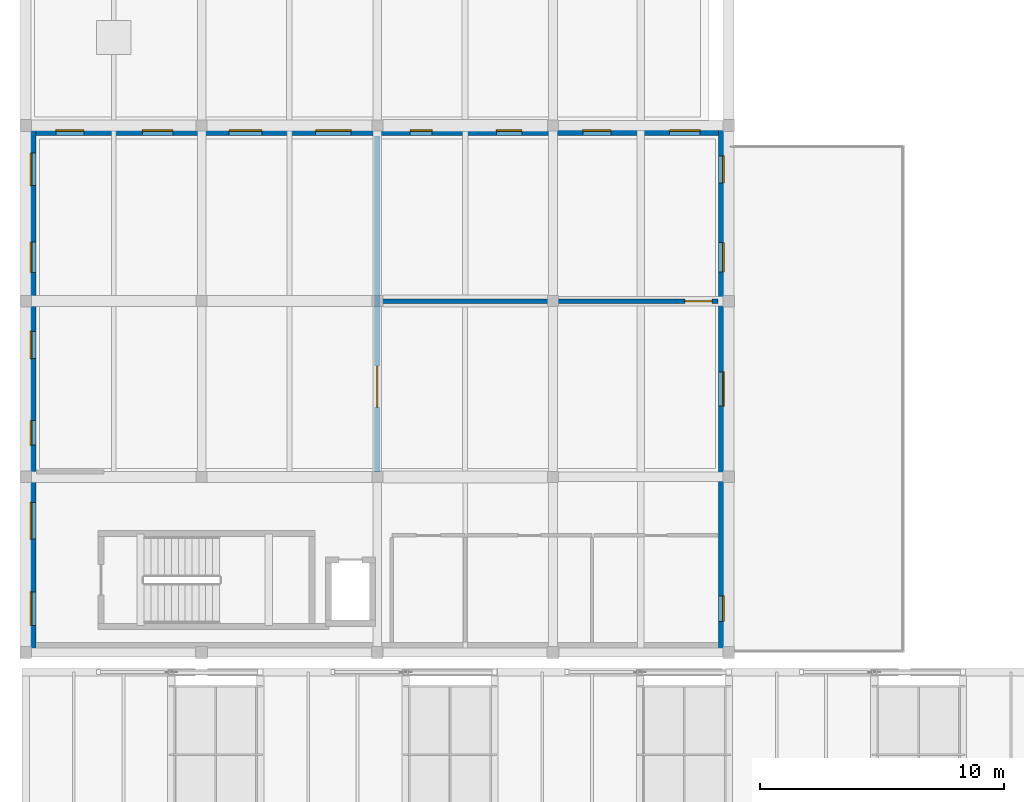
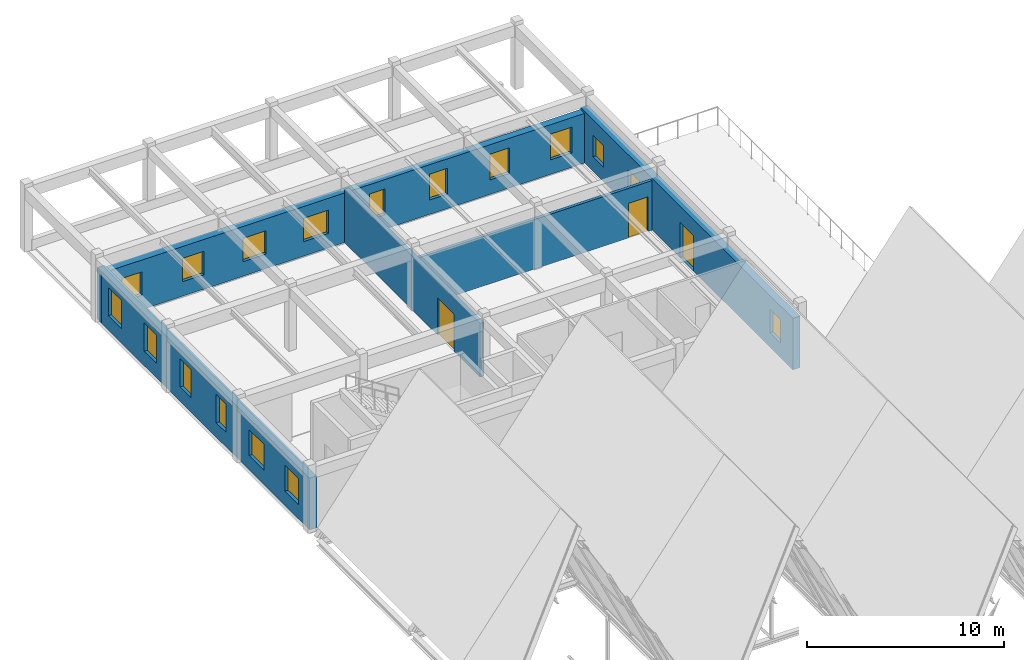
# One storey, part 83 of 99: 17 windows, 5 walls, 3 doors, 20 openings.
"""IFC4 building model written with IfcOpenShell, lengths in metres."""

from ifc_helpers import new_model, si_unit, direction, frame, frame_2d, origin, place, context, subcontext, project, spatial, rectangle, extrude, material, layer, layer_set, type_object, element, fill, save


model = new_model("IFC4")

# Units and contexts
model_context = context("Model", 3, precision=1e-05, world=origin(), true_north=direction((0.0, 1.0)))
body_context = subcontext(model_context, "Body", "Model", "MODEL_VIEW")
ifc_project = project(units=[si_unit("LENGTHUNIT", "METRE"), si_unit("AREAUNIT", "SQUARE_METRE"), si_unit("VOLUMEUNIT", "CUBIC_METRE"), si_unit("PLANEANGLEUNIT", "RADIAN"), si_unit("MASSUNIT", "GRAM", prefix="KILO")], contexts=[model_context])

# Site, building, storey
site_placement = place(None, origin())
site = spatial("IfcSite", under=ifc_project, at=site_placement, CompositionType="ELEMENT")
building_placement = place(site_placement, origin())
building = spatial("IfcBuilding", under=site, at=building_placement, Name="Bramveld Media Centre", CompositionType="ELEMENT")
storey_placement = place(building_placement, frame((0.0, 0.0, 13.800048828125)))
storey = spatial("IfcBuildingStorey", under=building, at=storey_placement, Name="L03", CompositionType="ELEMENT", Elevation=13.800048828125)

# Wall, openings, door, windows
ifc_material_1 = material(Name="Flemish red-brown clay facing brick cavity wall with concrete C35/45 inner leaf", Category="masonry")
ifc_layer_1 = layer(ifc_material_1, 0.419921875)
ifc_layer_set_1 = layer_set([ifc_layer_1], Name="Flemish red-brown clay facing brick cavity wall with concrete C35/45 inner leaf")
wall_type_1 = type_object("IfcWallType", Name="EW-BRK-420", PredefinedType="SOLIDWALL", material=ifc_layer_set_1)
wall_1_placement = place(storey_placement, frame((28.590087890625, 60.800048828125, 0.0), z_axis=(0.0, 0.0, 1.0), x_axis=(0.0, -1.0, 0.0)))
wall_1 = element("IfcWall", 1, at=wall_1_placement, inside=storey, type_object=wall_type_1, Name="V3 L03 E facing brick exterior wall", PredefinedType="SOLIDWALL", context=body_context, shape_type="SweptSolid", body=[
    extrude(rectangle(XDim=21.60009765625, YDim=0.419921875, at=frame_2d((10.800048828125, 0.0))), origin(), (0.0, 0.0, 1.0), 3.204833984375),
])
opening_1_placement = place(wall_1_placement, frame((10.10009765625, 0.0, 0.0)))
opening_1 = element("IfcOpeningElement", 2, at=opening_1_placement, cuts=wall_1, Name="Opening TD-05", PredefinedType="OPENING", context=body_context, shape_type="SweptSolid", body=[
    extrude(rectangle(XDim=1.39990234375, YDim=2.199951171875, at=frame_2d((0.699951171875, 1.10009765625))), frame((0.0, 0.221923828125, 0.0), z_axis=(0.0, -1.0, 0.0), x_axis=(1.0, 0.0, 0.0)), (0.0, 0.0, 1.0), 0.44384765625),
])
opening_2_placement = place(wall_1_placement, frame((1.25, 0.0, 0.89990234375)))
opening_2 = element("IfcOpeningElement", 3, at=opening_2_placement, cuts=wall_1, Name="Opening W-03", PredefinedType="OPENING", context=body_context, shape_type="SweptSolid", body=[
    extrude(rectangle(XDim=1.10009765625, YDim=1.35009765625, at=frame_2d((0.550048828125, 0.675048828125))), frame((0.0, 0.221923828125, 0.0), z_axis=(0.0, -1.0, 0.0), x_axis=(1.0, 0.0, 0.0)), (0.0, 0.0, 1.0), 0.44384765625),
])
opening_3_placement = place(wall_1_placement, frame((4.800048828125, 0.0, 0.89990234375)))
opening_3 = element("IfcOpeningElement", 4, at=opening_3_placement, cuts=wall_1, Name="Opening W-04", PredefinedType="OPENING", context=body_context, shape_type="SweptSolid", body=[
    extrude(rectangle(XDim=1.199951171875, YDim=1.35009765625, at=frame_2d((0.60009765625, 0.675048828125))), frame((0.0, 0.221923828125, 0.0), z_axis=(0.0, -1.0, 0.0), x_axis=(1.0, 0.0, 0.0)), (0.0, 0.0, 1.0), 0.44384765625),
])
opening_4_placement = place(wall_1_placement, frame((19.27490234375, 0.0, 0.89990234375)))
opening_4 = element("IfcOpeningElement", 5, at=opening_4_placement, cuts=wall_1, Name="Opening W-08", PredefinedType="OPENING", context=body_context, shape_type="SweptSolid", body=[
    extrude(rectangle(XDim=1.050048828125, YDim=1.449951171875, at=frame_2d((0.52490234375, 0.72509765625))), frame((0.0, 0.221923828125, 0.0), z_axis=(0.0, -1.0, 0.0), x_axis=(1.0, 0.0, 0.0)), (0.0, 0.0, 1.0), 0.44384765625),
])
ifc_material_2 = material(Name="Insulated powder-coated bronze aluminium & laminated safety glass door", Category="aluminium")
door_type_1 = type_object("IfcDoorType", Name="DR-TER-1400", OperationType="NOTDEFINED", PredefinedType="DOOR", material=ifc_material_2)
door_1_placement = place(opening_1_placement, origin())
door_1 = element("IfcDoor", 6, at=door_1_placement, inside=storey, type_object=door_type_1, Name="Exterior door TD-05", OperationType="SINGLE_SWING_LEFT", OverallHeight=2.199951171875, OverallWidth=1.39990234375, PredefinedType="DOOR", context=body_context, shape_type="SweptSolid", body=[
    extrude(rectangle(XDim=1.39990234375, YDim=2.199951171875, at=frame_2d((0.699951171875, 1.10009765625))), frame((0.0, 0.02490234375, 0.0), z_axis=(0.0, -1.0, 0.0), x_axis=(1.0, 0.0, 0.0)), (0.0, 0.0, 1.0), 0.050048828125),
])
fill(opening_1, door_1)
ifc_material_3 = material(Name="Thermally broken anodized bronze aluminium frame with triple acoustic glazing", Category="aluminium")
window_type_1 = type_object("IfcWindowType", Name="WIN-FAC-03", PartitioningType="SINGLE_PANEL", PredefinedType="WINDOW", material=ifc_material_3)
window_1_placement = place(opening_2_placement, origin())
window_1 = element("IfcWindow", 7, at=window_1_placement, inside=storey, type_object=window_type_1, Name="V3 L03 E acoustic facade window", OverallHeight=1.35009765625, OverallWidth=1.10009765625, PartitioningType="SINGLE_PANEL", PredefinedType="WINDOW", context=body_context, shape_type="SweptSolid", body=[
    extrude(rectangle(XDim=1.10009765625, YDim=1.35009765625, at=frame_2d((0.550048828125, 0.675048828125))), frame((0.0, 0.030029296875, 0.0), z_axis=(0.0, -1.0, 0.0), x_axis=(1.0, 0.0, 0.0)), (0.0, 0.0, 1.0), 0.06005859375),
])
fill(opening_2, window_1)
ifc_material_4 = material(Name="Thermally broken anodized bronze aluminium frame with triple acoustic glazing", Category="aluminium")
window_type_2 = type_object("IfcWindowType", Name="WIN-FAC-04", PartitioningType="SINGLE_PANEL", PredefinedType="WINDOW", material=ifc_material_4)
window_2_placement = place(opening_3_placement, origin())
window_2 = element("IfcWindow", 8, at=window_2_placement, inside=storey, type_object=window_type_2, Name="V3 L03 E acoustic facade window", OverallHeight=1.35009765625, OverallWidth=1.199951171875, PartitioningType="SINGLE_PANEL", PredefinedType="WINDOW", context=body_context, shape_type="SweptSolid", body=[
    extrude(rectangle(XDim=1.199951171875, YDim=1.35009765625, at=frame_2d((0.60009765625, 0.675048828125))), frame((0.0, 0.030029296875, 0.0), z_axis=(0.0, -1.0, 0.0), x_axis=(1.0, 0.0, 0.0)), (0.0, 0.0, 1.0), 0.06005859375),
])
fill(opening_3, window_2)
ifc_material_5 = material(Name="Thermally broken anodized bronze aluminium frame with triple acoustic glazing", Category="aluminium")
window_type_3 = type_object("IfcWindowType", Name="WIN-FAC-08", PartitioningType="SINGLE_PANEL", PredefinedType="WINDOW", material=ifc_material_5)
window_3_placement = place(opening_4_placement, origin())
window_3 = element("IfcWindow", 9, at=window_3_placement, inside=storey, type_object=window_type_3, Name="V3 L03 E acoustic facade window", OverallHeight=1.449951171875, OverallWidth=1.050048828125, PartitioningType="SINGLE_PANEL", PredefinedType="WINDOW", context=body_context, shape_type="SweptSolid", body=[
    extrude(rectangle(XDim=1.050048828125, YDim=1.449951171875, at=frame_2d((0.52490234375, 0.72509765625))), frame((0.0, 0.030029296875, 0.0), z_axis=(0.0, -1.0, 0.0), x_axis=(1.0, 0.0, 0.0)), (0.0, 0.0, 1.0), 0.06005859375),
])
fill(opening_4, window_3)

# Wall, openings, windows
wall_2_placement = place(storey_placement, frame((0.0, 60.590087890625, 0.0), z_axis=(0.0, 0.0, 1.0), x_axis=(1.0, 0.0, 0.0)))
wall_2 = element("IfcWall", 10, at=wall_2_placement, inside=storey, type_object=wall_type_1, Name="V3 L03 N facing brick exterior wall", PredefinedType="SOLIDWALL", context=body_context, shape_type="SweptSolid", body=[
    extrude(rectangle(XDim=28.800048828125, YDim=0.419921875, at=frame_2d((14.39990234375, 0.0))), origin(), (0.0, 0.0, 1.0), 3.0849609375),
])
opening_5_placement = place(wall_2_placement, frame((1.22509765625, 0.0, 0.89990234375)))
opening_5 = element("IfcOpeningElement", 11, at=opening_5_placement, cuts=wall_2, Name="Opening W-09", PredefinedType="OPENING", context=body_context, shape_type="SweptSolid", body=[
    extrude(rectangle(XDim=1.14990234375, YDim=1.449951171875, at=frame_2d((0.574951171875, 0.72509765625))), frame((0.0, 0.221923828125, 0.0), z_axis=(0.0, -1.0, 0.0), x_axis=(1.0, 0.0, 0.0)), (0.0, 0.0, 1.0), 0.44384765625),
])
opening_6_placement = place(wall_2_placement, frame((4.77490234375, 0.0, 0.89990234375)))
opening_6 = element("IfcOpeningElement", 12, at=opening_6_placement, cuts=wall_2, Name="Opening W-10", PredefinedType="OPENING", context=body_context, shape_type="SweptSolid", body=[
    extrude(rectangle(XDim=1.25, YDim=1.449951171875, at=frame_2d((0.625, 0.72509765625))), frame((0.0, 0.221923828125, 0.0), z_axis=(0.0, -1.0, 0.0), x_axis=(1.0, 0.0, 0.0)), (0.0, 0.0, 1.0), 0.44384765625),
])
opening_7_placement = place(wall_2_placement, frame((8.324951171875, 0.0, 0.89990234375)))
opening_7 = element("IfcOpeningElement", 13, at=opening_7_placement, cuts=wall_2, Name="Opening W-11", PredefinedType="OPENING", context=body_context, shape_type="SweptSolid", body=[
    extrude(rectangle(XDim=1.35009765625, YDim=1.449951171875, at=frame_2d((0.675048828125, 0.72509765625))), frame((0.0, 0.221923828125, 0.0), z_axis=(0.0, -1.0, 0.0), x_axis=(1.0, 0.0, 0.0)), (0.0, 0.0, 1.0), 0.44384765625),
])
opening_8_placement = place(wall_2_placement, frame((11.875, 0.0, 0.89990234375)))
opening_8 = element("IfcOpeningElement", 14, at=opening_8_placement, cuts=wall_2, Name="Opening W-12", PredefinedType="OPENING", context=body_context, shape_type="SweptSolid", body=[
    extrude(rectangle(XDim=1.449951171875, YDim=1.449951171875, at=frame_2d((0.72509765625, 0.72509765625))), frame((0.0, 0.221923828125, 0.0), z_axis=(0.0, -1.0, 0.0), x_axis=(1.0, 0.0, 0.0)), (0.0, 0.0, 1.0), 0.44384765625),
])
opening_9_placement = place(wall_2_placement, frame((15.75, 0.0, 0.89990234375)))
opening_9 = element("IfcOpeningElement", 15, at=opening_9_placement, cuts=wall_2, Name="Opening W-13", PredefinedType="OPENING", context=body_context, shape_type="SweptSolid", body=[
    extrude(rectangle(XDim=0.89990234375, YDim=1.60009765625, at=frame_2d((0.449951171875, 0.800048828125))), frame((0.0, 0.221923828125, 0.0), z_axis=(0.0, -1.0, 0.0), x_axis=(1.0, 0.0, 0.0)), (0.0, 0.0, 1.0), 0.44384765625),
])
opening_10_placement = place(wall_2_placement, frame((19.27490234375, 0.0, 0.89990234375)))
opening_10 = element("IfcOpeningElement", 16, at=opening_10_placement, cuts=wall_2, Name="Opening W-14", PredefinedType="OPENING", context=body_context, shape_type="SweptSolid", body=[
    extrude(rectangle(XDim=1.050048828125, YDim=1.60009765625, at=frame_2d((0.52490234375, 0.800048828125))), frame((0.0, 0.221923828125, 0.0), z_axis=(0.0, -1.0, 0.0), x_axis=(1.0, 0.0, 0.0)), (0.0, 0.0, 1.0), 0.44384765625),
])
opening_11_placement = place(wall_2_placement, frame((22.824951171875, 0.0, 0.89990234375)))
opening_11 = element("IfcOpeningElement", 17, at=opening_11_placement, cuts=wall_2, Name="Opening W-15", PredefinedType="OPENING", context=body_context, shape_type="SweptSolid", body=[
    extrude(rectangle(XDim=1.14990234375, YDim=1.60009765625, at=frame_2d((0.574951171875, 0.800048828125))), frame((0.0, 0.221923828125, 0.0), z_axis=(0.0, -1.0, 0.0), x_axis=(1.0, 0.0, 0.0)), (0.0, 0.0, 1.0), 0.44384765625),
])
opening_12_placement = place(wall_2_placement, frame((26.375, 0.0, 0.89990234375)))
opening_12 = element("IfcOpeningElement", 18, at=opening_12_placement, cuts=wall_2, Name="Opening W-16", PredefinedType="OPENING", context=body_context, shape_type="SweptSolid", body=[
    extrude(rectangle(XDim=1.25, YDim=1.60009765625, at=frame_2d((0.625, 0.800048828125))), frame((0.0, 0.221923828125, 0.0), z_axis=(0.0, -1.0, 0.0), x_axis=(1.0, 0.0, 0.0)), (0.0, 0.0, 1.0), 0.44384765625),
])
ifc_material_6 = material(Name="Thermally broken anodized bronze aluminium frame with triple acoustic glazing", Category="aluminium")
window_type_4 = type_object("IfcWindowType", Name="WIN-FAC-09", PartitioningType="SINGLE_PANEL", PredefinedType="WINDOW", material=ifc_material_6)
window_4_placement = place(opening_5_placement, origin())
window_4 = element("IfcWindow", 19, at=window_4_placement, inside=storey, type_object=window_type_4, Name="V3 L03 N acoustic facade window", OverallHeight=1.449951171875, OverallWidth=1.14990234375, PartitioningType="SINGLE_PANEL", PredefinedType="WINDOW", context=body_context, shape_type="SweptSolid", body=[
    extrude(rectangle(XDim=1.14990234375, YDim=1.449951171875, at=frame_2d((0.574951171875, 0.72509765625))), frame((0.0, 0.030029296875, 0.0), z_axis=(0.0, -1.0, 0.0), x_axis=(1.0, 0.0, 0.0)), (0.0, 0.0, 1.0), 0.06005859375),
])
fill(opening_5, window_4)
ifc_material_7 = material(Name="Thermally broken anodized bronze aluminium frame with triple acoustic glazing", Category="aluminium")
window_type_5 = type_object("IfcWindowType", Name="WIN-FAC-10", PartitioningType="SINGLE_PANEL", PredefinedType="WINDOW", material=ifc_material_7)
window_5_placement = place(opening_6_placement, origin())
window_5 = element("IfcWindow", 20, at=window_5_placement, inside=storey, type_object=window_type_5, Name="V3 L03 N acoustic facade window", OverallHeight=1.449951171875, OverallWidth=1.25, PartitioningType="SINGLE_PANEL", PredefinedType="WINDOW", context=body_context, shape_type="SweptSolid", body=[
    extrude(rectangle(XDim=1.25, YDim=1.449951171875, at=frame_2d((0.625, 0.72509765625))), frame((0.0, 0.030029296875, 0.0), z_axis=(0.0, -1.0, 0.0), x_axis=(1.0, 0.0, 0.0)), (0.0, 0.0, 1.0), 0.06005859375),
])
fill(opening_6, window_5)
ifc_material_8 = material(Name="Thermally broken anodized bronze aluminium frame with triple acoustic glazing", Category="aluminium")
window_type_6 = type_object("IfcWindowType", Name="WIN-FAC-11", PartitioningType="SINGLE_PANEL", PredefinedType="WINDOW", material=ifc_material_8)
window_6_placement = place(opening_7_placement, origin())
window_6 = element("IfcWindow", 21, at=window_6_placement, inside=storey, type_object=window_type_6, Name="V3 L03 N acoustic facade window", OverallHeight=1.449951171875, OverallWidth=1.35009765625, PartitioningType="SINGLE_PANEL", PredefinedType="WINDOW", context=body_context, shape_type="SweptSolid", body=[
    extrude(rectangle(XDim=1.35009765625, YDim=1.449951171875, at=frame_2d((0.675048828125, 0.72509765625))), frame((0.0, 0.030029296875, 0.0), z_axis=(0.0, -1.0, 0.0), x_axis=(1.0, 0.0, 0.0)), (0.0, 0.0, 1.0), 0.06005859375),
])
fill(opening_7, window_6)
ifc_material_9 = material(Name="Thermally broken anodized bronze aluminium frame with triple acoustic glazing", Category="aluminium")
window_type_7 = type_object("IfcWindowType", Name="WIN-FAC-12", PartitioningType="SINGLE_PANEL", PredefinedType="WINDOW", material=ifc_material_9)
window_7_placement = place(opening_8_placement, origin())
window_7 = element("IfcWindow", 22, at=window_7_placement, inside=storey, type_object=window_type_7, Name="V3 L03 N acoustic facade window", OverallHeight=1.449951171875, OverallWidth=1.449951171875, PartitioningType="SINGLE_PANEL", PredefinedType="WINDOW", context=body_context, shape_type="SweptSolid", body=[
    extrude(rectangle(XDim=1.449951171875, YDim=1.449951171875, at=frame_2d((0.72509765625, 0.72509765625))), frame((0.0, 0.030029296875, 0.0), z_axis=(0.0, -1.0, 0.0), x_axis=(1.0, 0.0, 0.0)), (0.0, 0.0, 1.0), 0.06005859375),
])
fill(opening_8, window_7)
ifc_material_10 = material(Name="Thermally broken anodized bronze aluminium frame with triple acoustic glazing", Category="aluminium")
window_type_8 = type_object("IfcWindowType", Name="WIN-FAC-13", PartitioningType="SINGLE_PANEL", PredefinedType="WINDOW", material=ifc_material_10)
window_8_placement = place(opening_9_placement, origin())
window_8 = element("IfcWindow", 23, at=window_8_placement, inside=storey, type_object=window_type_8, Name="V3 L03 N acoustic facade window", OverallHeight=1.60009765625, OverallWidth=0.89990234375, PartitioningType="SINGLE_PANEL", PredefinedType="WINDOW", context=body_context, shape_type="SweptSolid", body=[
    extrude(rectangle(XDim=0.89990234375, YDim=1.60009765625, at=frame_2d((0.449951171875, 0.800048828125))), frame((0.0, 0.030029296875, 0.0), z_axis=(0.0, -1.0, 0.0), x_axis=(1.0, 0.0, 0.0)), (0.0, 0.0, 1.0), 0.06005859375),
])
fill(opening_9, window_8)
ifc_material_11 = material(Name="Thermally broken anodized bronze aluminium frame with triple acoustic glazing", Category="aluminium")
window_type_9 = type_object("IfcWindowType", Name="WIN-FAC-14", PartitioningType="SINGLE_PANEL", PredefinedType="WINDOW", material=ifc_material_11)
window_9_placement = place(opening_10_placement, origin())
window_9 = element("IfcWindow", 24, at=window_9_placement, inside=storey, type_object=window_type_9, Name="V3 L03 N acoustic facade window", OverallHeight=1.60009765625, OverallWidth=1.050048828125, PartitioningType="SINGLE_PANEL", PredefinedType="WINDOW", context=body_context, shape_type="SweptSolid", body=[
    extrude(rectangle(XDim=1.050048828125, YDim=1.60009765625, at=frame_2d((0.52490234375, 0.800048828125))), frame((0.0, 0.030029296875, 0.0), z_axis=(0.0, -1.0, 0.0), x_axis=(1.0, 0.0, 0.0)), (0.0, 0.0, 1.0), 0.06005859375),
])
fill(opening_10, window_9)
ifc_material_12 = material(Name="Thermally broken anodized bronze aluminium frame with triple acoustic glazing", Category="aluminium")
window_type_10 = type_object("IfcWindowType", Name="WIN-FAC-15", PartitioningType="SINGLE_PANEL", PredefinedType="WINDOW", material=ifc_material_12)
window_10_placement = place(opening_11_placement, origin())
window_10 = element("IfcWindow", 25, at=window_10_placement, inside=storey, type_object=window_type_10, Name="V3 L03 N acoustic facade window", OverallHeight=1.60009765625, OverallWidth=1.14990234375, PartitioningType="SINGLE_PANEL", PredefinedType="WINDOW", context=body_context, shape_type="SweptSolid", body=[
    extrude(rectangle(XDim=1.14990234375, YDim=1.60009765625, at=frame_2d((0.574951171875, 0.800048828125))), frame((0.0, 0.030029296875, 0.0), z_axis=(0.0, -1.0, 0.0), x_axis=(1.0, 0.0, 0.0)), (0.0, 0.0, 1.0), 0.06005859375),
])
fill(opening_11, window_10)
ifc_material_13 = material(Name="Thermally broken anodized bronze aluminium frame with triple acoustic glazing", Category="aluminium")
window_type_11 = type_object("IfcWindowType", Name="WIN-FAC-16", PartitioningType="SINGLE_PANEL", PredefinedType="WINDOW", material=ifc_material_13)
window_11_placement = place(opening_12_placement, origin())
window_11 = element("IfcWindow", 26, at=window_11_placement, inside=storey, type_object=window_type_11, Name="V3 L03 N acoustic facade window", OverallHeight=1.60009765625, OverallWidth=1.25, PartitioningType="SINGLE_PANEL", PredefinedType="WINDOW", context=body_context, shape_type="SweptSolid", body=[
    extrude(rectangle(XDim=1.25, YDim=1.60009765625, at=frame_2d((0.625, 0.800048828125))), frame((0.0, 0.030029296875, 0.0), z_axis=(0.0, -1.0, 0.0), x_axis=(1.0, 0.0, 0.0)), (0.0, 0.0, 1.0), 0.06005859375),
])
fill(opening_12, window_11)

wall_3_placement = place(storey_placement, frame((0.2099609375, 39.199951171875, 0.0), z_axis=(0.0, 0.0, 1.0), x_axis=(0.0, 1.0, 0.0)))
wall_3 = element("IfcWall", 27, at=wall_3_placement, inside=storey, type_object=wall_type_1, Name="V3 L03 W facing brick exterior wall", PredefinedType="SOLIDWALL", context=body_context, shape_type="SweptSolid", body=[
    extrude(rectangle(XDim=21.60009765625, YDim=0.419921875, at=frame_2d((10.800048828125, 0.0))), origin(), (0.0, 0.0, 1.0), 3.21484375),
])
opening_13_placement = place(wall_3_placement, frame((1.110107421875, 0.0, 0.89990234375)))
opening_13 = element("IfcOpeningElement", 28, at=opening_13_placement, cuts=wall_3, Name="Opening W-17", PredefinedType="OPENING", context=body_context, shape_type="SweptSolid", body=[
    extrude(rectangle(XDim=1.3798828125, YDim=1.60009765625, at=frame_2d((0.68994140625, 0.800048828125))), frame((0.0, 0.221923828125, 0.0), z_axis=(0.0, -1.0, 0.0), x_axis=(1.0, 0.0, 0.0)), (0.0, 0.0, 1.0), 0.44384765625),
])
opening_14_placement = place(wall_3_placement, frame((4.64990234375, 0.0, 0.89990234375)))
opening_14 = element("IfcOpeningElement", 29, at=opening_14_placement, cuts=wall_3, Name="Opening W-18", PredefinedType="OPENING", context=body_context, shape_type="SweptSolid", body=[
    extrude(rectangle(XDim=1.5, YDim=1.60009765625, at=frame_2d((0.75, 0.800048828125))), frame((0.0, 0.221923828125, 0.0), z_axis=(0.0, -1.0, 0.0), x_axis=(1.0, 0.0, 0.0)), (0.0, 0.0, 1.0), 0.44384765625),
])
opening_15_placement = place(wall_3_placement, frame((8.5, 0.0, 0.89990234375)))
opening_15 = element("IfcOpeningElement", 30, at=opening_15_placement, cuts=wall_3, Name="Opening W-19", PredefinedType="OPENING", context=body_context, shape_type="SweptSolid", body=[
    extrude(rectangle(XDim=1.0, YDim=1.75, at=frame_2d((0.5, 0.875))), frame((0.0, 0.221923828125, 0.0), z_axis=(0.0, -1.0, 0.0), x_axis=(1.0, 0.0, 0.0)), (0.0, 0.0, 1.0), 0.44384765625),
])
opening_16_placement = place(wall_3_placement, frame((12.0400390625, 0.0, 0.89990234375)))
opening_16 = element("IfcOpeningElement", 31, at=opening_16_placement, cuts=wall_3, Name="Opening W-20", PredefinedType="OPENING", context=body_context, shape_type="SweptSolid", body=[
    extrude(rectangle(XDim=1.1201171875, YDim=1.75, at=frame_2d((0.56005859375, 0.875))), frame((0.0, 0.221923828125, 0.0), z_axis=(0.0, -1.0, 0.0), x_axis=(1.0, 0.0, 0.0)), (0.0, 0.0, 1.0), 0.44384765625),
])
opening_17_placement = place(wall_3_placement, frame((15.580078125, 0.0, 0.89990234375)))
opening_17 = element("IfcOpeningElement", 32, at=opening_17_placement, cuts=wall_3, Name="Opening W-21", PredefinedType="OPENING", context=body_context, shape_type="SweptSolid", body=[
    extrude(rectangle(XDim=1.239990234375, YDim=1.75, at=frame_2d((0.6201171875, 0.875))), frame((0.0, 0.221923828125, 0.0), z_axis=(0.0, -1.0, 0.0), x_axis=(1.0, 0.0, 0.0)), (0.0, 0.0, 1.0), 0.44384765625),
])
opening_18_placement = place(wall_3_placement, frame((19.1298828125, 0.0, 0.89990234375)))
opening_18 = element("IfcOpeningElement", 33, at=opening_18_placement, cuts=wall_3, Name="Opening W-22", PredefinedType="OPENING", context=body_context, shape_type="SweptSolid", body=[
    extrude(rectangle(XDim=1.340087890625, YDim=1.75, at=frame_2d((0.669921875, 0.875))), frame((0.0, 0.221923828125, 0.0), z_axis=(0.0, -1.0, 0.0), x_axis=(1.0, 0.0, 0.0)), (0.0, 0.0, 1.0), 0.44384765625),
])
ifc_material_14 = material(Name="Thermally broken anodized bronze aluminium frame with triple acoustic glazing", Category="aluminium")
window_type_12 = type_object("IfcWindowType", Name="WIN-FAC-17", PartitioningType="SINGLE_PANEL", PredefinedType="WINDOW", material=ifc_material_14)
window_12_placement = place(opening_13_placement, origin())
window_12 = element("IfcWindow", 34, at=window_12_placement, inside=storey, type_object=window_type_12, Name="V3 L03 W acoustic facade window", OverallHeight=1.60009765625, OverallWidth=1.3798828125, PartitioningType="SINGLE_PANEL", PredefinedType="WINDOW", context=body_context, shape_type="SweptSolid", body=[
    extrude(rectangle(XDim=1.3798828125, YDim=1.60009765625, at=frame_2d((0.68994140625, 0.800048828125))), frame((0.0, 0.030029296875, 0.0), z_axis=(0.0, -1.0, 0.0), x_axis=(1.0, 0.0, 0.0)), (0.0, 0.0, 1.0), 0.06005859375),
])
fill(opening_13, window_12)
ifc_material_15 = material(Name="Thermally broken anodized bronze aluminium frame with triple acoustic glazing", Category="aluminium")
window_type_13 = type_object("IfcWindowType", Name="WIN-FAC-18", PartitioningType="SINGLE_PANEL", PredefinedType="WINDOW", material=ifc_material_15)
window_13_placement = place(opening_14_placement, origin())
window_13 = element("IfcWindow", 35, at=window_13_placement, inside=storey, type_object=window_type_13, Name="V3 L03 W acoustic facade window", OverallHeight=1.60009765625, OverallWidth=1.5, PartitioningType="SINGLE_PANEL", PredefinedType="WINDOW", context=body_context, shape_type="SweptSolid", body=[
    extrude(rectangle(XDim=1.5, YDim=1.60009765625, at=frame_2d((0.75, 0.800048828125))), frame((0.0, 0.030029296875, 0.0), z_axis=(0.0, -1.0, 0.0), x_axis=(1.0, 0.0, 0.0)), (0.0, 0.0, 1.0), 0.06005859375),
])
fill(opening_14, window_13)
ifc_material_16 = material(Name="Thermally broken anodized bronze aluminium frame with triple acoustic glazing", Category="aluminium")
window_type_14 = type_object("IfcWindowType", Name="WIN-FAC-19", PartitioningType="SINGLE_PANEL", PredefinedType="WINDOW", material=ifc_material_16)
window_14_placement = place(opening_15_placement, origin())
window_14 = element("IfcWindow", 36, at=window_14_placement, inside=storey, type_object=window_type_14, Name="V3 L03 W acoustic facade window", OverallHeight=1.75, OverallWidth=1.0, PartitioningType="SINGLE_PANEL", PredefinedType="WINDOW", context=body_context, shape_type="SweptSolid", body=[
    extrude(rectangle(XDim=1.0, YDim=1.75, at=frame_2d((0.5, 0.875))), frame((0.0, 0.030029296875, 0.0), z_axis=(0.0, -1.0, 0.0), x_axis=(1.0, 0.0, 0.0)), (0.0, 0.0, 1.0), 0.06005859375),
])
fill(opening_15, window_14)
ifc_material_17 = material(Name="Thermally broken anodized bronze aluminium frame with triple acoustic glazing", Category="aluminium")
window_type_15 = type_object("IfcWindowType", Name="WIN-FAC-20", PartitioningType="SINGLE_PANEL", PredefinedType="WINDOW", material=ifc_material_17)
window_15_placement = place(opening_16_placement, origin())
window_15 = element("IfcWindow", 37, at=window_15_placement, inside=storey, type_object=window_type_15, Name="V3 L03 W acoustic facade window", OverallHeight=1.75, OverallWidth=1.1201171875, PartitioningType="SINGLE_PANEL", PredefinedType="WINDOW", context=body_context, shape_type="SweptSolid", body=[
    extrude(rectangle(XDim=1.1201171875, YDim=1.75, at=frame_2d((0.56005859375, 0.875))), frame((0.0, 0.030029296875, 0.0), z_axis=(0.0, -1.0, 0.0), x_axis=(1.0, 0.0, 0.0)), (0.0, 0.0, 1.0), 0.06005859375),
])
fill(opening_16, window_15)
ifc_material_18 = material(Name="Thermally broken anodized bronze aluminium frame with triple acoustic glazing", Category="aluminium")
window_type_16 = type_object("IfcWindowType", Name="WIN-FAC-21", PartitioningType="SINGLE_PANEL", PredefinedType="WINDOW", material=ifc_material_18)
window_16_placement = place(opening_17_placement, origin())
window_16 = element("IfcWindow", 38, at=window_16_placement, inside=storey, type_object=window_type_16, Name="V3 L03 W acoustic facade window", OverallHeight=1.75, OverallWidth=1.239990234375, PartitioningType="SINGLE_PANEL", PredefinedType="WINDOW", context=body_context, shape_type="SweptSolid", body=[
    extrude(rectangle(XDim=1.239990234375, YDim=1.75, at=frame_2d((0.6201171875, 0.875))), frame((0.0, 0.030029296875, 0.0), z_axis=(0.0, -1.0, 0.0), x_axis=(1.0, 0.0, 0.0)), (0.0, 0.0, 1.0), 0.06005859375),
])
fill(opening_17, window_16)
ifc_material_19 = material(Name="Thermally broken anodized bronze aluminium frame with triple acoustic glazing", Category="aluminium")
window_type_17 = type_object("IfcWindowType", Name="WIN-FAC-22", PartitioningType="SINGLE_PANEL", PredefinedType="WINDOW", material=ifc_material_19)
window_17_placement = place(opening_18_placement, origin())
window_17 = element("IfcWindow", 39, at=window_17_placement, inside=storey, type_object=window_type_17, Name="V3 L03 W acoustic facade window", OverallHeight=1.75, OverallWidth=1.340087890625, PartitioningType="SINGLE_PANEL", PredefinedType="WINDOW", context=body_context, shape_type="SweptSolid", body=[
    extrude(rectangle(XDim=1.340087890625, YDim=1.75, at=frame_2d((0.669921875, 0.875))), frame((0.0, 0.030029296875, 0.0), z_axis=(0.0, -1.0, 0.0), x_axis=(1.0, 0.0, 0.0)), (0.0, 0.0, 1.0), 0.06005859375),
])
fill(opening_18, window_17)

# Wall, opening, door
ifc_material_20 = material(Name="Double-stud acoustic gypsum & mineral-wool studio wall", Category="gypsum")
ifc_layer_2 = layer(ifc_material_20, 0.239990234375)
ifc_layer_set_2 = layer_set([ifc_layer_2], Name="Double-stud acoustic gypsum & mineral-wool studio wall")
wall_type_2 = type_object("IfcWallType", Name="IW-ACOU-240", PredefinedType="PARTITIONING", material=ifc_layer_set_2)
wall_4_placement = place(storey_placement, frame((14.39990234375, 46.60009765625, 0.0), z_axis=(0.0, 0.0, 1.0), x_axis=(0.0, 1.0, 0.0)))
wall_4 = element("IfcWall", 40, at=wall_4_placement, inside=storey, type_object=wall_type_2, Name="Screen 8 Young Audience Micro-Cinema partition wall", PredefinedType="PARTITIONING", context=body_context, shape_type="SweptSolid", body=[
    extrude(rectangle(XDim=13.77001953125, YDim=0.239990234375, at=frame_2d((6.885009765625, 0.0))), origin(), (0.0, 0.0, 1.0), 3.3349609375),
])
opening_19_placement = place(wall_4_placement, frame((2.659912109375, 0.0, 0.0)))
opening_19 = element("IfcOpeningElement", 41, at=opening_19_placement, cuts=wall_4, Name="Opening D-03-140", PredefinedType="OPENING", context=body_context, shape_type="SweptSolid", body=[
    extrude(rectangle(XDim=1.679931640625, YDim=2.300048828125, at=frame_2d((0.83984375, 1.14990234375))), frame((0.0, 0.1318359375, 0.0), z_axis=(0.0, -1.0, 0.0), x_axis=(1.0, 0.0, 0.0)), (0.0, 0.0, 1.0), 0.263916015625),
])
ifc_material_21 = material(Name="Fire-rated acoustic timber & steel composite door", Category="steel")
door_type_2 = type_object("IfcDoorType", Name="DR-HALL-1680", OperationType="NOTDEFINED", PredefinedType="DOOR", material=ifc_material_21)
door_2_placement = place(opening_19_placement, origin())
door_2 = element("IfcDoor", 42, at=door_2_placement, inside=storey, type_object=door_type_2, Name="Screen 8 Young Audience Micro-Cinema entrance door", OperationType="DOUBLE_DOOR_SINGLE_SWING", OverallHeight=2.300048828125, OverallWidth=1.679931640625, PredefinedType="DOOR", context=body_context, shape_type="SweptSolid", body=[
    extrude(rectangle(XDim=1.679931640625, YDim=2.300048828125, at=frame_2d((0.83984375, 1.14990234375))), frame((0.0, 0.02490234375, 0.0), z_axis=(0.0, -1.0, 0.0), x_axis=(1.0, 0.0, 0.0)), (0.0, 0.0, 1.0), 0.050048828125),
])
fill(opening_19, door_2)

ifc_material_22 = material(Name="Fire-rated twin-frame gypsum corridor wall", Category="gypsum")
ifc_layer_3 = layer(ifc_material_22, 0.179931640625)
ifc_layer_set_3 = layer_set([ifc_layer_3], Name="Fire-rated twin-frame gypsum corridor wall")
wall_type_3 = type_object("IfcWallType", Name="IW-FIRE-180", PredefinedType="PARTITIONING", material=ifc_layer_set_3)
wall_5_placement = place(storey_placement, frame((14.530029296875, 53.60009765625, 0.0), z_axis=(0.0, 0.0, 1.0), x_axis=(1.0, 0.0, 0.0)))
wall_5 = element("IfcWall", 43, at=wall_5_placement, inside=storey, type_object=wall_type_3, Name="Setback Terrace Circulation Lobby partition wall", PredefinedType="PARTITIONING", context=body_context, shape_type="SweptSolid", body=[
    extrude(rectangle(XDim=13.840087890625, YDim=0.179931640625, at=frame_2d((6.919921875, 0.0))), origin(), (0.0, 0.0, 1.0), 3.0849609375),
])
opening_20_placement = place(wall_5_placement, frame((12.469970703125, 0.0, 0.0)))
opening_20 = element("IfcOpeningElement", 44, at=opening_20_placement, cuts=wall_5, Name="Opening D-03-141", PredefinedType="OPENING", context=body_context, shape_type="SweptSolid", body=[
    extrude(rectangle(XDim=1.1201171875, YDim=2.14990234375, at=frame_2d((0.56005859375, 1.074951171875))), frame((0.0, 0.10205078125, 0.0), z_axis=(0.0, -1.0, 0.0), x_axis=(1.0, 0.0, 0.0)), (0.0, 0.0, 1.0), 0.203857421875),
])
ifc_material_23 = material(Name="Solid-core European oak acoustic timber leaf in steel frame", Category="steel")
door_type_3 = type_object("IfcDoorType", Name="DR-RM-1120", OperationType="NOTDEFINED", PredefinedType="DOOR", material=ifc_material_23)
door_3_placement = place(opening_20_placement, origin())
door_3 = element("IfcDoor", 45, at=door_3_placement, inside=storey, type_object=door_type_3, Name="VR & Spatial Cinema Studio entrance door", OperationType="SINGLE_SWING_LEFT", OverallHeight=2.14990234375, OverallWidth=1.1201171875, PredefinedType="DOOR", context=body_context, shape_type="SweptSolid", body=[
    extrude(rectangle(XDim=1.1201171875, YDim=2.14990234375, at=frame_2d((0.56005859375, 1.074951171875))), frame((0.0, 0.02490234375, 0.0), z_axis=(0.0, -1.0, 0.0), x_axis=(1.0, 0.0, 0.0)), (0.0, 0.0, 1.0), 0.050048828125),
])
fill(opening_20, door_3)

save(model, "model.ifc")
